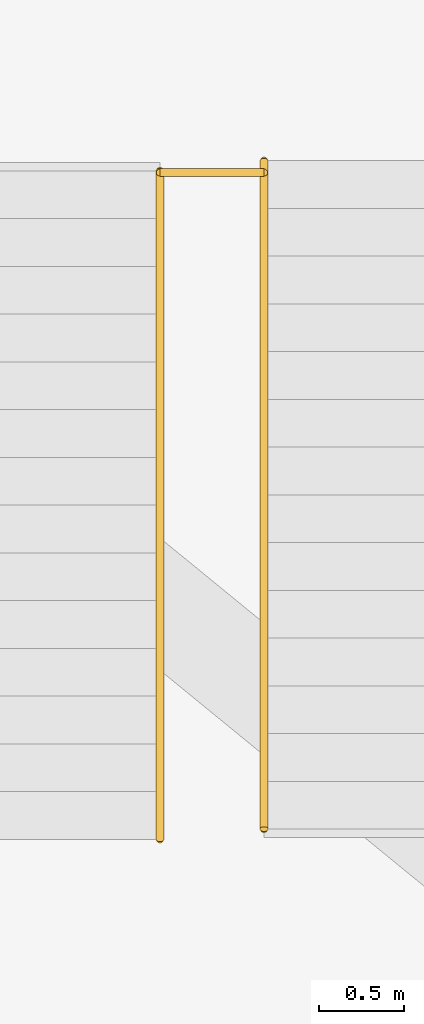
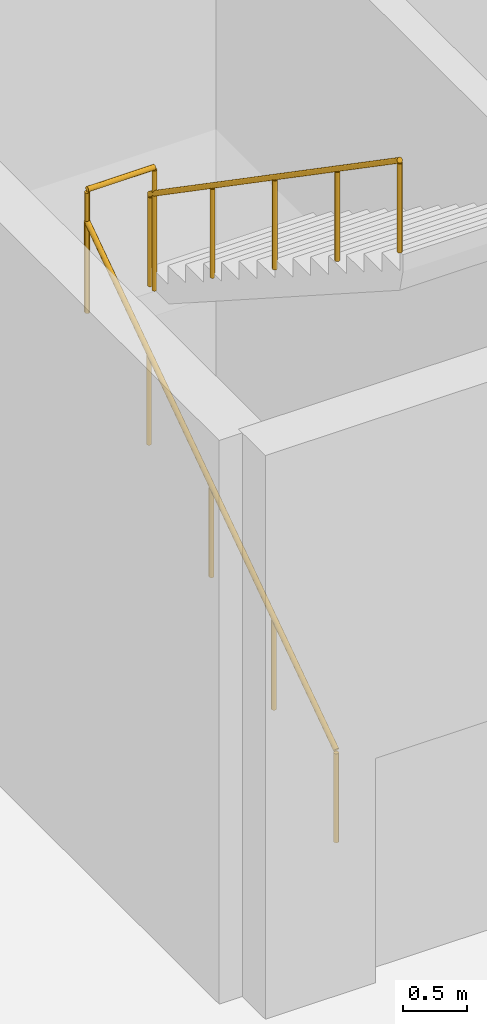
# One storey, part 110 of 118: 3 railings.
"""IFC4 building model written with IfcOpenShell, lengths in metres."""

from ifc_helpers import new_model, si_unit, direction, frame, origin, origin_2d, place, context, subcontext, project, spatial, circle, extrude, material, type_object, element, save


model = new_model("IFC4")

# Units and contexts
model_context = context("Model", 3, precision=1e-05, world=origin(), true_north=direction((0.0, 1.0)))
body_context = subcontext(model_context, "Body", "Model", "MODEL_VIEW")
ifc_project = project(units=[si_unit("LENGTHUNIT", "METRE"), si_unit("AREAUNIT", "SQUARE_METRE"), si_unit("VOLUMEUNIT", "CUBIC_METRE"), si_unit("PLANEANGLEUNIT", "RADIAN"), si_unit("MASSUNIT", "GRAM", prefix="KILO")], contexts=[model_context])

# Site, building, storey
site_placement = place(None, origin())
site = spatial("IfcSite", under=ifc_project, at=site_placement, CompositionType="ELEMENT")
building_placement = place(site_placement, origin())
building = spatial("IfcBuilding", under=site, at=building_placement, Name="Kildeholm Park Wholesale Market", CompositionType="ELEMENT")
storey_placement = place(building_placement, origin())
storey = spatial("IfcBuildingStorey", under=building, at=storey_placement, Name="L00", CompositionType="ELEMENT", Elevation=0.0)

# Railings
ifc_material_1 = material(Name="Painted steel and laminated glass balustrade", Category="steel")
railing_type_1 = type_object("IfcRailingType", Name="Interior gallery and stairwell guard GR-IN1 1200 mm", PredefinedType="GUARDRAIL", material=ifc_material_1)
railing_1_placement = place(storey_placement, frame((69.699951171875, 114.330078125, 2.699951171875)))
element("IfcRailing", 1, at=railing_1_placement, inside=storey, type_object=railing_type_1, Name="Stair C11 half-landing well guard L00 RLG-0122", PredefinedType="GUARDRAIL", context=body_context, shape_type="SweptSolid", body=[
    extrude(circle(Radius=0.02392578125, at=origin_2d()), frame((0.0, 0.0, 1.17578125), z_axis=(1.0, 0.0, 0.0), x_axis=(0.0, 1.0, 0.0)), (0.0, 0.0, 1.0), 0.610107421875),
    extrude(circle(Radius=0.02099609375, at=origin_2d()), origin(), (0.0, 0.0, 1.0), 1.15185546875),
    extrude(circle(Radius=0.02099609375, at=origin_2d()), frame((0.610107421875, 0.0, 0.0)), (0.0, 0.0, 1.0), 1.15185546875),
])
ifc_material_2 = material(Name="Stainless steel AISI 316 handrail", Category="steel")
railing_type_2 = type_object("IfcRailingType", Name="Stair flight handrail HR-IN1 900 mm", PredefinedType="HANDRAIL", material=ifc_material_2)
railing_2_placement = place(storey_placement, frame((69.699951171875, 110.419921875, 0.0)))
element("IfcRailing", 2, at=railing_2_placement, inside=storey, type_object=railing_type_2, Name="Stair C11 flight 1 handrail L00 RLG-0124", PredefinedType="HANDRAIL", context=body_context, shape_type="SweptSolid", body=[
    extrude(circle(Radius=0.02392578125, at=origin_2d()), frame((0.0, 0.0, 0.8759765625), z_axis=(0.0, 0.823567234665, 0.567218661528), x_axis=(-1.0, 0.0, 0.0)), (0.0, 0.0, 1.0), 4.760009765625),
    extrude(circle(Radius=0.02099609375, at=origin_2d()), origin(), (0.0, 0.0, 1.0), 0.851806640625),
    extrude(circle(Radius=0.02099609375, at=origin_2d()), frame((0.0, 0.97998046875, 0.675048828125)), (0.0, 0.0, 1.0), 0.851806640625),
    extrude(circle(Radius=0.02099609375, at=origin_2d()), frame((0.0, 1.9599609375, 1.35009765625)), (0.0, 0.0, 1.0), 0.851806640625),
    extrude(circle(Radius=0.02099609375, at=origin_2d()), frame((0.0, 2.940185546875, 2.02490234375)), (0.0, 0.0, 1.0), 0.851806640625),
    extrude(circle(Radius=0.02099609375, at=origin_2d()), frame((0.0, 3.920166015625, 2.699951171875)), (0.0, 0.0, 1.0), 0.851806640625),
])
railing_3_placement = place(storey_placement, frame((70.31005859375, 114.39990234375, 2.699951171875)))
element("IfcRailing", 3, at=railing_3_placement, inside=storey, type_object=railing_type_2, Name="Stair C11 flight 2 handrail L00 RLG-0125", PredefinedType="HANDRAIL", context=body_context, shape_type="SweptSolid", body=[
    extrude(circle(Radius=0.02392578125, at=origin_2d()), frame((0.0, 0.0, 0.8759765625), z_axis=(0.0, -0.823550731654, 0.567242622158), x_axis=(1.0, 0.0, 0.0)), (0.0, 0.0, 1.0), 4.759765625),
    extrude(circle(Radius=0.02099609375, at=origin_2d()), origin(), (0.0, 0.0, 1.0), 0.851806640625),
    extrude(circle(Radius=0.02099609375, at=origin_2d()), frame((0.0, -0.97998046875, 0.675048828125)), (0.0, 0.0, 1.0), 0.851806640625),
    extrude(circle(Radius=0.02099609375, at=origin_2d()), frame((0.0, -1.9599609375, 1.35009765625)), (0.0, 0.0, 1.0), 0.851806640625),
    extrude(circle(Radius=0.02099609375, at=origin_2d()), frame((0.0, -2.93994140625, 2.02490234375)), (0.0, 0.0, 1.0), 0.851806640625),
    extrude(circle(Radius=0.02099609375, at=origin_2d()), frame((0.0, -3.919921875, 2.699951171875)), (0.0, 0.0, 1.0), 0.851806640625),
])

save(model, "model.ifc")
